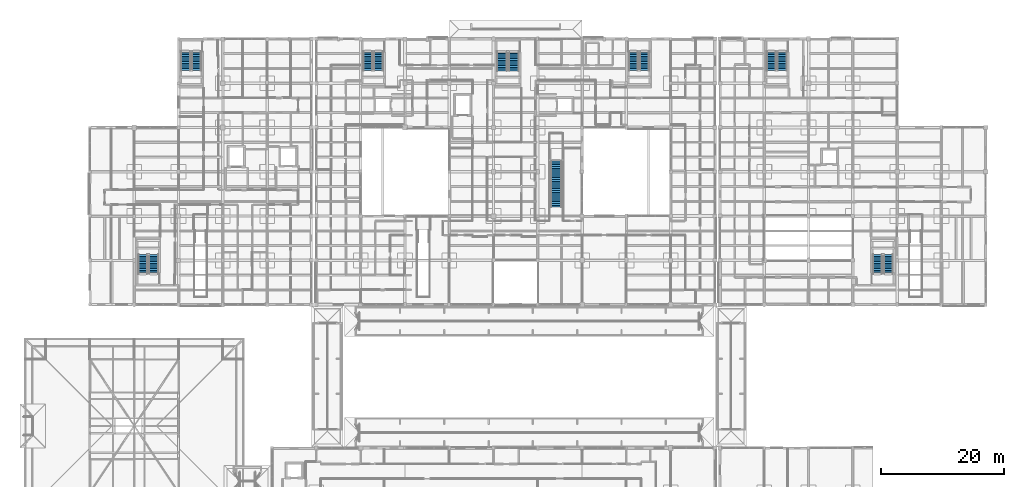
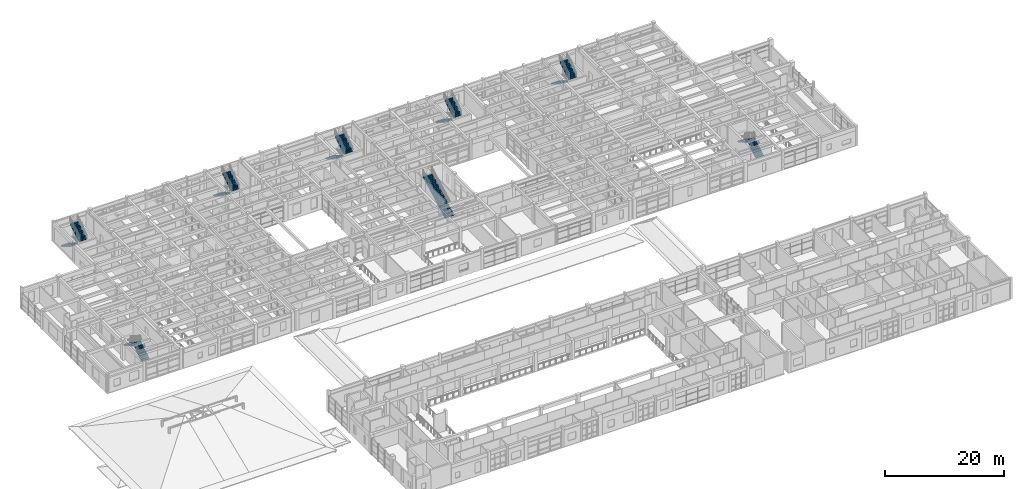
# One storey, part 97 of 110: 15 stair flights, 8 elements without a shape of their own.
"""IFC4 building model written with IfcOpenShell, lengths in metres."""

from ifc_helpers import new_model, si_unit, direction, frame, origin, place, context, subcontext, project, spatial, polyline, outline, extrude, material, type_object, element, aggregate, save


model = new_model("IFC4")

# Units and contexts
model_context = context("Model", 3, precision=1e-05, world=origin(), true_north=direction((0.0, 1.0)))
body_context = subcontext(model_context, "Body", "Model", "MODEL_VIEW")
ifc_project = project(units=[si_unit("LENGTHUNIT", "METRE"), si_unit("AREAUNIT", "SQUARE_METRE"), si_unit("VOLUMEUNIT", "CUBIC_METRE"), si_unit("PLANEANGLEUNIT", "RADIAN"), si_unit("MASSUNIT", "GRAM", prefix="KILO")], contexts=[model_context])

# Site, building, storey
site_placement = place(None, origin())
site = spatial("IfcSite", under=ifc_project, at=site_placement, CompositionType="ELEMENT")
building_placement = place(site_placement, origin())
building = spatial("IfcBuilding", under=site, at=building_placement, Name="Steenspoor Specialist Clinic", CompositionType="ELEMENT")
storey_placement = place(building_placement, frame((0.0, 0.0, 4.800048828125)))
storey = spatial("IfcBuildingStorey", under=building, at=storey_placement, Name="L01", CompositionType="ELEMENT", Elevation=4.800048828125)

# Stair, stair flights
ifc_material = material(Name="Concrete C35/45", Category="concrete")
stair_type_1 = type_object("IfcStairType", Name="ST-CORE-TYP", PredefinedType="HALF_TURN_STAIR", material=ifc_material)
stair_1_placement = place(storey_placement, origin())
stair_1 = element("IfcStair", 1, at=stair_1_placement, inside=storey, type_object=stair_type_1, Name="L01 Enclosed Exit Stair ST-V4A", PredefinedType="HALF_TURN_STAIR")
stair_flight_type_1 = type_object("IfcStairFlightType", Name="FL-CORE-TYP", PredefinedType="STRAIGHT", material=ifc_material)
stair_flight_1_placement = place(storey_placement, frame((60.77490234375, 106.35009765625, 0.0), z_axis=(0.0, 0.0, 1.0), x_axis=(0.0, -1.0, 0.0)))
stair_flight_1 = element("IfcStairFlight", 2, at=stair_flight_1_placement, type_object=stair_flight_type_1, Name="ST-V4A flight 1", NumberOfRisers=12, NumberOfTreads=11, PredefinedType="STRAIGHT", RiserHeight=0.175, TreadLength=0.285, context=body_context, shape_type="SweptSolid", body=[
    extrude(outline(polyline([(0.0, 0.0), (0.0, 0.175048828125), (0.284912109375, 0.175048828125), (0.284912109375, 0.35009765625), (0.570068359375, 0.35009765625), (0.570068359375, 0.52490234375), (0.85498046875, 0.52490234375), (0.85498046875, 0.699951171875), (1.139892578125, 0.699951171875), (1.139892578125, 0.875), (1.425048828125, 0.875), (1.425048828125, 1.050048828125), (1.7099609375, 1.050048828125), (1.7099609375, 1.22509765625), (1.9951171875, 1.22509765625), (1.9951171875, 1.39990234375), (2.280029296875, 1.39990234375), (2.280029296875, 1.574951171875), (2.56494140625, 1.574951171875), (2.56494140625, 1.75), (2.85009765625, 1.75), (2.85009765625, 1.925048828125), (3.135009765625, 1.925048828125), (3.135009765625, 2.10009765625), (3.135009765625, 1.7373046875), (0.3056640625, 0.0), (0.0, 0.0)])), frame((0.0, 0.77490234375, 0.0), z_axis=(0.0, -1.0, 0.0), x_axis=(1.0, 0.0, 0.0)), (0.0, 0.0, 1.0), 1.550048828125),
])
stair_flight_2_placement = place(storey_placement, frame((62.52490234375, 103.215087890625, 2.099853515625), z_axis=(0.0, 0.0, 1.0), x_axis=(0.0, 1.0, 0.0)))
stair_flight_2 = element("IfcStairFlight", 3, at=stair_flight_2_placement, type_object=stair_flight_type_1, Name="ST-V4A flight 2", NumberOfRisers=12, NumberOfTreads=11, PredefinedType="STRAIGHT", RiserHeight=0.175, TreadLength=0.285, context=body_context, shape_type="SweptSolid", body=[
    extrude(outline(polyline([(0.0, 0.0), (0.0, 0.175048828125), (0.284912109375, 0.175048828125), (0.284912109375, 0.35009765625), (0.570068359375, 0.35009765625), (0.570068359375, 0.52490234375), (0.85498046875, 0.52490234375), (0.85498046875, 0.699951171875), (1.139892578125, 0.699951171875), (1.139892578125, 0.875), (1.425048828125, 0.875), (1.425048828125, 1.050048828125), (1.7099609375, 1.050048828125), (1.7099609375, 1.22509765625), (1.9951171875, 1.22509765625), (1.9951171875, 1.39990234375), (2.280029296875, 1.39990234375), (2.280029296875, 1.574951171875), (2.56494140625, 1.574951171875), (2.56494140625, 1.75), (2.85009765625, 1.75), (2.85009765625, 1.925048828125), (3.135009765625, 1.925048828125), (3.135009765625, 2.10009765625), (3.135009765625, 1.7373046875), (0.3056640625, 0.0), (0.0, 0.0)])), frame((0.0, 0.77490234375, 0.0), z_axis=(0.0, -1.0, 0.0), x_axis=(1.0, 0.0, 0.0)), (0.0, 0.0, 1.0), 1.550048828125),
])
aggregate(stair_1, [stair_flight_1, stair_flight_2])

stair_2_placement = place(storey_placement, origin())
stair_2 = element("IfcStair", 4, at=stair_2_placement, inside=storey, type_object=stair_type_1, Name="L01 Enclosed Exit Stair ST-V4B", PredefinedType="HALF_TURN_STAIR")
stair_flight_3_placement = place(storey_placement, frame((103.97509765625, 106.35009765625, 0.0), z_axis=(0.0, 0.0, 1.0), x_axis=(0.0, -1.0, 0.0)))
stair_flight_3 = element("IfcStairFlight", 5, at=stair_flight_3_placement, type_object=stair_flight_type_1, Name="ST-V4B flight 1", NumberOfRisers=12, NumberOfTreads=11, PredefinedType="STRAIGHT", RiserHeight=0.175, TreadLength=0.285, context=body_context, shape_type="SweptSolid", body=[
    extrude(outline(polyline([(0.0, 0.0), (0.0, 0.175048828125), (0.284912109375, 0.175048828125), (0.284912109375, 0.35009765625), (0.570068359375, 0.35009765625), (0.570068359375, 0.52490234375), (0.85498046875, 0.52490234375), (0.85498046875, 0.699951171875), (1.139892578125, 0.699951171875), (1.139892578125, 0.875), (1.425048828125, 0.875), (1.425048828125, 1.050048828125), (1.7099609375, 1.050048828125), (1.7099609375, 1.22509765625), (1.9951171875, 1.22509765625), (1.9951171875, 1.39990234375), (2.280029296875, 1.39990234375), (2.280029296875, 1.574951171875), (2.56494140625, 1.574951171875), (2.56494140625, 1.75), (2.85009765625, 1.75), (2.85009765625, 1.925048828125), (3.135009765625, 1.925048828125), (3.135009765625, 2.10009765625), (3.135009765625, 1.7373046875), (0.3056640625, 0.0), (0.0, 0.0)])), frame((0.0, 0.77490234375, 0.0), z_axis=(0.0, -1.0, 0.0), x_axis=(1.0, 0.0, 0.0)), (0.0, 0.0, 1.0), 1.550048828125),
])
stair_flight_4_placement = place(storey_placement, frame((105.72509765625, 103.215087890625, 2.099853515625), z_axis=(0.0, 0.0, 1.0), x_axis=(0.0, 1.0, 0.0)))
stair_flight_4 = element("IfcStairFlight", 6, at=stair_flight_4_placement, type_object=stair_flight_type_1, Name="ST-V4B flight 2", NumberOfRisers=12, NumberOfTreads=11, PredefinedType="STRAIGHT", RiserHeight=0.175, TreadLength=0.285, context=body_context, shape_type="SweptSolid", body=[
    extrude(outline(polyline([(0.0, 0.0), (0.0, 0.175048828125), (0.284912109375, 0.175048828125), (0.284912109375, 0.35009765625), (0.570068359375, 0.35009765625), (0.570068359375, 0.52490234375), (0.85498046875, 0.52490234375), (0.85498046875, 0.699951171875), (1.139892578125, 0.699951171875), (1.139892578125, 0.875), (1.425048828125, 0.875), (1.425048828125, 1.050048828125), (1.7099609375, 1.050048828125), (1.7099609375, 1.22509765625), (1.9951171875, 1.22509765625), (1.9951171875, 1.39990234375), (2.280029296875, 1.39990234375), (2.280029296875, 1.574951171875), (2.56494140625, 1.574951171875), (2.56494140625, 1.75), (2.85009765625, 1.75), (2.85009765625, 1.925048828125), (3.135009765625, 1.925048828125), (3.135009765625, 2.10009765625), (3.135009765625, 1.7373046875), (0.3056640625, 0.0), (0.0, 0.0)])), frame((0.0, 0.77490234375, 0.0), z_axis=(0.0, -1.0, 0.0), x_axis=(1.0, 0.0, 0.0)), (0.0, 0.0, 1.0), 1.550048828125),
])
aggregate(stair_2, [stair_flight_3, stair_flight_4])

stair_3_placement = place(storey_placement, origin())
stair_3 = element("IfcStair", 7, at=stair_3_placement, inside=storey, type_object=stair_type_1, Name="L01 Enclosed Exit Stair ST-V5A", PredefinedType="HALF_TURN_STAIR")
stair_flight_5_placement = place(storey_placement, frame((31.175048828125, 106.35009765625, 0.0), z_axis=(0.0, 0.0, 1.0), x_axis=(0.0, -1.0, 0.0)))
stair_flight_5 = element("IfcStairFlight", 8, at=stair_flight_5_placement, type_object=stair_flight_type_1, Name="ST-V5A flight 1", NumberOfRisers=12, NumberOfTreads=11, PredefinedType="STRAIGHT", RiserHeight=0.175, TreadLength=0.285, context=body_context, shape_type="SweptSolid", body=[
    extrude(outline(polyline([(0.0, 0.0), (0.0, 0.175048828125), (0.284912109375, 0.175048828125), (0.284912109375, 0.35009765625), (0.570068359375, 0.35009765625), (0.570068359375, 0.52490234375), (0.85498046875, 0.52490234375), (0.85498046875, 0.699951171875), (1.139892578125, 0.699951171875), (1.139892578125, 0.875), (1.425048828125, 0.875), (1.425048828125, 1.050048828125), (1.7099609375, 1.050048828125), (1.7099609375, 1.22509765625), (1.9951171875, 1.22509765625), (1.9951171875, 1.39990234375), (2.280029296875, 1.39990234375), (2.280029296875, 1.574951171875), (2.56494140625, 1.574951171875), (2.56494140625, 1.75), (2.85009765625, 1.75), (2.85009765625, 1.925048828125), (3.135009765625, 1.925048828125), (3.135009765625, 2.10009765625), (3.135009765625, 1.7373046875), (0.3056640625, 0.0), (0.0, 0.0)])), frame((0.0, 0.77490234375, 0.0), z_axis=(0.0, -1.0, 0.0), x_axis=(1.0, 0.0, 0.0)), (0.0, 0.0, 1.0), 1.550048828125),
])
stair_flight_6_placement = place(storey_placement, frame((32.925048828125, 103.215087890625, 2.099853515625), z_axis=(0.0, 0.0, 1.0), x_axis=(0.0, 1.0, 0.0)))
stair_flight_6 = element("IfcStairFlight", 9, at=stair_flight_6_placement, type_object=stair_flight_type_1, Name="ST-V5A flight 2", NumberOfRisers=12, NumberOfTreads=11, PredefinedType="STRAIGHT", RiserHeight=0.175, TreadLength=0.285, context=body_context, shape_type="SweptSolid", body=[
    extrude(outline(polyline([(0.0, 0.0), (0.0, 0.175048828125), (0.284912109375, 0.175048828125), (0.284912109375, 0.35009765625), (0.570068359375, 0.35009765625), (0.570068359375, 0.52490234375), (0.85498046875, 0.52490234375), (0.85498046875, 0.699951171875), (1.139892578125, 0.699951171875), (1.139892578125, 0.875), (1.425048828125, 0.875), (1.425048828125, 1.050048828125), (1.7099609375, 1.050048828125), (1.7099609375, 1.22509765625), (1.9951171875, 1.22509765625), (1.9951171875, 1.39990234375), (2.280029296875, 1.39990234375), (2.280029296875, 1.574951171875), (2.56494140625, 1.574951171875), (2.56494140625, 1.75), (2.85009765625, 1.75), (2.85009765625, 1.925048828125), (3.135009765625, 1.925048828125), (3.135009765625, 2.10009765625), (3.135009765625, 1.7373046875), (0.3056640625, 0.0), (0.0, 0.0)])), frame((0.0, 0.77490234375, 0.0), z_axis=(0.0, -1.0, 0.0), x_axis=(1.0, 0.0, 0.0)), (0.0, 0.0, 1.0), 1.550048828125),
])
aggregate(stair_3, [stair_flight_5, stair_flight_6])

stair_4_placement = place(storey_placement, origin())
stair_4 = element("IfcStair", 10, at=stair_4_placement, inside=storey, type_object=stair_type_1, Name="L01 Enclosed Exit Stair ST-V5B", PredefinedType="HALF_TURN_STAIR")
stair_flight_7_placement = place(storey_placement, frame((25.97509765625, 70.14990234375, 0.0), z_axis=(0.0, 0.0, 1.0), x_axis=(0.0, 1.0, 0.0)))
stair_flight_7 = element("IfcStairFlight", 11, at=stair_flight_7_placement, type_object=stair_flight_type_1, Name="ST-V5B flight 1", NumberOfRisers=12, NumberOfTreads=11, PredefinedType="STRAIGHT", RiserHeight=0.175, TreadLength=0.285, context=body_context, shape_type="SweptSolid", body=[
    extrude(outline(polyline([(0.0, 0.0), (0.0, 0.175048828125), (0.284912109375, 0.175048828125), (0.284912109375, 0.35009765625), (0.570068359375, 0.35009765625), (0.570068359375, 0.52490234375), (0.85498046875, 0.52490234375), (0.85498046875, 0.699951171875), (1.139892578125, 0.699951171875), (1.139892578125, 0.875), (1.425048828125, 0.875), (1.425048828125, 1.050048828125), (1.7099609375, 1.050048828125), (1.7099609375, 1.22509765625), (1.9951171875, 1.22509765625), (1.9951171875, 1.39990234375), (2.280029296875, 1.39990234375), (2.280029296875, 1.574951171875), (2.56494140625, 1.574951171875), (2.56494140625, 1.75), (2.85009765625, 1.75), (2.85009765625, 1.925048828125), (3.135009765625, 1.925048828125), (3.135009765625, 2.10009765625), (3.135009765625, 1.7373046875), (0.3056640625, 0.0), (0.0, 0.0)])), frame((0.0, 0.77490234375, 0.0), z_axis=(0.0, -1.0, 0.0), x_axis=(1.0, 0.0, 0.0)), (0.0, 0.0, 1.0), 1.550048828125),
])
stair_flight_8_placement = place(storey_placement, frame((24.22509765625, 73.284912109375, 2.099853515625), z_axis=(0.0, 0.0, 1.0), x_axis=(0.0, -1.0, 0.0)))
stair_flight_8 = element("IfcStairFlight", 12, at=stair_flight_8_placement, type_object=stair_flight_type_1, Name="ST-V5B flight 2", NumberOfRisers=12, NumberOfTreads=11, PredefinedType="STRAIGHT", RiserHeight=0.175, TreadLength=0.285, context=body_context, shape_type="SweptSolid", body=[
    extrude(outline(polyline([(0.0, 0.0), (0.0, 0.175048828125), (0.284912109375, 0.175048828125), (0.284912109375, 0.35009765625), (0.570068359375, 0.35009765625), (0.570068359375, 0.52490234375), (0.85498046875, 0.52490234375), (0.85498046875, 0.699951171875), (1.139892578125, 0.699951171875), (1.139892578125, 0.875), (1.425048828125, 0.875), (1.425048828125, 1.050048828125), (1.7099609375, 1.050048828125), (1.7099609375, 1.22509765625), (1.9951171875, 1.22509765625), (1.9951171875, 1.39990234375), (2.280029296875, 1.39990234375), (2.280029296875, 1.574951171875), (2.56494140625, 1.574951171875), (2.56494140625, 1.75), (2.85009765625, 1.75), (2.85009765625, 1.925048828125), (3.135009765625, 1.925048828125), (3.135009765625, 2.10009765625), (3.135009765625, 1.7373046875), (0.3056640625, 0.0), (0.0, 0.0)])), frame((0.0, 0.77490234375, 0.0), z_axis=(0.0, -1.0, 0.0), x_axis=(1.0, 0.0, 0.0)), (0.0, 0.0, 1.0), 1.550048828125),
])
aggregate(stair_4, [stair_flight_7, stair_flight_8])

stair_5_placement = place(storey_placement, origin())
stair_5 = element("IfcStair", 13, at=stair_5_placement, inside=storey, type_object=stair_type_1, Name="L01 Enclosed Exit Stair ST-V6A", PredefinedType="HALF_TURN_STAIR")
stair_flight_9_placement = place(storey_placement, frame((126.375, 106.35009765625, 0.0), z_axis=(0.0, 0.0, 1.0), x_axis=(0.0, -1.0, 0.0)))
stair_flight_9 = element("IfcStairFlight", 14, at=stair_flight_9_placement, type_object=stair_flight_type_1, Name="ST-V6A flight 1", NumberOfRisers=12, NumberOfTreads=11, PredefinedType="STRAIGHT", RiserHeight=0.175, TreadLength=0.285, context=body_context, shape_type="SweptSolid", body=[
    extrude(outline(polyline([(0.0, 0.0), (0.0, 0.175048828125), (0.284912109375, 0.175048828125), (0.284912109375, 0.35009765625), (0.570068359375, 0.35009765625), (0.570068359375, 0.52490234375), (0.85498046875, 0.52490234375), (0.85498046875, 0.699951171875), (1.139892578125, 0.699951171875), (1.139892578125, 0.875), (1.425048828125, 0.875), (1.425048828125, 1.050048828125), (1.7099609375, 1.050048828125), (1.7099609375, 1.22509765625), (1.9951171875, 1.22509765625), (1.9951171875, 1.39990234375), (2.280029296875, 1.39990234375), (2.280029296875, 1.574951171875), (2.56494140625, 1.574951171875), (2.56494140625, 1.75), (2.85009765625, 1.75), (2.85009765625, 1.925048828125), (3.135009765625, 1.925048828125), (3.135009765625, 2.10009765625), (3.135009765625, 1.7373046875), (0.3056640625, 0.0), (0.0, 0.0)])), frame((0.0, 0.77490234375, 0.0), z_axis=(0.0, -1.0, 0.0), x_axis=(1.0, 0.0, 0.0)), (0.0, 0.0, 1.0), 1.550048828125),
])
stair_flight_10_placement = place(storey_placement, frame((128.125, 103.215087890625, 2.099853515625), z_axis=(0.0, 0.0, 1.0), x_axis=(0.0, 1.0, 0.0)))
stair_flight_10 = element("IfcStairFlight", 15, at=stair_flight_10_placement, type_object=stair_flight_type_1, Name="ST-V6A flight 2", NumberOfRisers=12, NumberOfTreads=11, PredefinedType="STRAIGHT", RiserHeight=0.175, TreadLength=0.285, context=body_context, shape_type="SweptSolid", body=[
    extrude(outline(polyline([(0.0, 0.0), (0.0, 0.175048828125), (0.284912109375, 0.175048828125), (0.284912109375, 0.35009765625), (0.570068359375, 0.35009765625), (0.570068359375, 0.52490234375), (0.85498046875, 0.52490234375), (0.85498046875, 0.699951171875), (1.139892578125, 0.699951171875), (1.139892578125, 0.875), (1.425048828125, 0.875), (1.425048828125, 1.050048828125), (1.7099609375, 1.050048828125), (1.7099609375, 1.22509765625), (1.9951171875, 1.22509765625), (1.9951171875, 1.39990234375), (2.280029296875, 1.39990234375), (2.280029296875, 1.574951171875), (2.56494140625, 1.574951171875), (2.56494140625, 1.75), (2.85009765625, 1.75), (2.85009765625, 1.925048828125), (3.135009765625, 1.925048828125), (3.135009765625, 2.10009765625), (3.135009765625, 1.7373046875), (0.3056640625, 0.0), (0.0, 0.0)])), frame((0.0, 0.77490234375, 0.0), z_axis=(0.0, -1.0, 0.0), x_axis=(1.0, 0.0, 0.0)), (0.0, 0.0, 1.0), 1.550048828125),
])
aggregate(stair_5, [stair_flight_9, stair_flight_10])

stair_6_placement = place(storey_placement, origin())
stair_6 = element("IfcStair", 16, at=stair_6_placement, inside=storey, type_object=stair_type_1, Name="L01 Enclosed Exit Stair ST-V6B", PredefinedType="HALF_TURN_STAIR")
stair_flight_11_placement = place(storey_placement, frame((145.375, 70.14990234375, 0.0), z_axis=(0.0, 0.0, 1.0), x_axis=(0.0, 1.0, 0.0)))
stair_flight_11 = element("IfcStairFlight", 17, at=stair_flight_11_placement, type_object=stair_flight_type_1, Name="ST-V6B flight 1", NumberOfRisers=12, NumberOfTreads=11, PredefinedType="STRAIGHT", RiserHeight=0.175, TreadLength=0.285, context=body_context, shape_type="SweptSolid", body=[
    extrude(outline(polyline([(0.0, 0.0), (0.0, 0.175048828125), (0.284912109375, 0.175048828125), (0.284912109375, 0.35009765625), (0.570068359375, 0.35009765625), (0.570068359375, 0.52490234375), (0.85498046875, 0.52490234375), (0.85498046875, 0.699951171875), (1.139892578125, 0.699951171875), (1.139892578125, 0.875), (1.425048828125, 0.875), (1.425048828125, 1.050048828125), (1.7099609375, 1.050048828125), (1.7099609375, 1.22509765625), (1.9951171875, 1.22509765625), (1.9951171875, 1.39990234375), (2.280029296875, 1.39990234375), (2.280029296875, 1.574951171875), (2.56494140625, 1.574951171875), (2.56494140625, 1.75), (2.85009765625, 1.75), (2.85009765625, 1.925048828125), (3.135009765625, 1.925048828125), (3.135009765625, 2.10009765625), (3.135009765625, 1.7373046875), (0.3056640625, 0.0), (0.0, 0.0)])), frame((0.0, 0.77490234375, 0.0), z_axis=(0.0, -1.0, 0.0), x_axis=(1.0, 0.0, 0.0)), (0.0, 0.0, 1.0), 1.550048828125),
])
stair_flight_12_placement = place(storey_placement, frame((143.625, 73.284912109375, 2.099853515625), z_axis=(0.0, 0.0, 1.0), x_axis=(0.0, -1.0, 0.0)))
stair_flight_12 = element("IfcStairFlight", 18, at=stair_flight_12_placement, type_object=stair_flight_type_1, Name="ST-V6B flight 2", NumberOfRisers=12, NumberOfTreads=11, PredefinedType="STRAIGHT", RiserHeight=0.175, TreadLength=0.285, context=body_context, shape_type="SweptSolid", body=[
    extrude(outline(polyline([(0.0, 0.0), (0.0, 0.175048828125), (0.284912109375, 0.175048828125), (0.284912109375, 0.35009765625), (0.570068359375, 0.35009765625), (0.570068359375, 0.52490234375), (0.85498046875, 0.52490234375), (0.85498046875, 0.699951171875), (1.139892578125, 0.699951171875), (1.139892578125, 0.875), (1.425048828125, 0.875), (1.425048828125, 1.050048828125), (1.7099609375, 1.050048828125), (1.7099609375, 1.22509765625), (1.9951171875, 1.22509765625), (1.9951171875, 1.39990234375), (2.280029296875, 1.39990234375), (2.280029296875, 1.574951171875), (2.56494140625, 1.574951171875), (2.56494140625, 1.75), (2.85009765625, 1.75), (2.85009765625, 1.925048828125), (3.135009765625, 1.925048828125), (3.135009765625, 2.10009765625), (3.135009765625, 1.7373046875), (0.3056640625, 0.0), (0.0, 0.0)])), frame((0.0, 0.77490234375, 0.0), z_axis=(0.0, -1.0, 0.0), x_axis=(1.0, 0.0, 0.0)), (0.0, 0.0, 1.0), 1.550048828125),
])
aggregate(stair_6, [stair_flight_11, stair_flight_12])

stair_type_2 = type_object("IfcStairType", Name="ST-CORE-WD", PredefinedType="HALF_TURN_STAIR", material=ifc_material)
stair_7_placement = place(storey_placement, origin())
stair_7 = element("IfcStair", 19, at=stair_7_placement, inside=storey, type_object=stair_type_2, Name="L01 Enclosed Exit Stair ST-V4C", PredefinedType="HALF_TURN_STAIR")
stair_flight_type_2 = type_object("IfcStairFlightType", Name="FL-CORE-WD", PredefinedType="STRAIGHT", material=ifc_material)
stair_flight_13_placement = place(storey_placement, frame((82.60009765625, 106.280029296875, 0.0), z_axis=(0.0, 0.0, 1.0), x_axis=(0.0, -1.0, 0.0)))
stair_flight_13 = element("IfcStairFlight", 20, at=stair_flight_13_placement, type_object=stair_flight_type_2, Name="ST-V4C flight 1", NumberOfRisers=12, NumberOfTreads=11, PredefinedType="STRAIGHT", RiserHeight=0.175, TreadLength=0.285, context=body_context, shape_type="SweptSolid", body=[
    extrude(outline(polyline([(0.0, 0.0), (0.0, 0.175048828125), (0.284912109375, 0.175048828125), (0.284912109375, 0.35009765625), (0.570068359375, 0.35009765625), (0.570068359375, 0.52490234375), (0.85498046875, 0.52490234375), (0.85498046875, 0.699951171875), (1.139892578125, 0.699951171875), (1.139892578125, 0.875), (1.425048828125, 0.875), (1.425048828125, 1.050048828125), (1.7099609375, 1.050048828125), (1.7099609375, 1.22509765625), (1.9951171875, 1.22509765625), (1.9951171875, 1.39990234375), (2.280029296875, 1.39990234375), (2.280029296875, 1.574951171875), (2.56494140625, 1.574951171875), (2.56494140625, 1.75), (2.85009765625, 1.75), (2.85009765625, 1.925048828125), (3.135009765625, 1.925048828125), (3.135009765625, 2.10009765625), (3.135009765625, 1.7373046875), (0.3056640625, 0.0), (0.0, 0.0)])), frame((0.0, 0.85009765625, 0.0), z_axis=(0.0, -1.0, 0.0), x_axis=(1.0, 0.0, 0.0)), (0.0, 0.0, 1.0), 1.699951171875),
])
stair_flight_14_placement = place(storey_placement, frame((84.5, 103.14501953125, 2.099853515625), z_axis=(0.0, 0.0, 1.0), x_axis=(0.0, 1.0, 0.0)))
stair_flight_14 = element("IfcStairFlight", 21, at=stair_flight_14_placement, type_object=stair_flight_type_2, Name="ST-V4C flight 2", NumberOfRisers=12, NumberOfTreads=11, PredefinedType="STRAIGHT", RiserHeight=0.175, TreadLength=0.285, context=body_context, shape_type="SweptSolid", body=[
    extrude(outline(polyline([(0.0, 0.0), (0.0, 0.175048828125), (0.284912109375, 0.175048828125), (0.284912109375, 0.35009765625), (0.570068359375, 0.35009765625), (0.570068359375, 0.52490234375), (0.85498046875, 0.52490234375), (0.85498046875, 0.699951171875), (1.139892578125, 0.699951171875), (1.139892578125, 0.875), (1.425048828125, 0.875), (1.425048828125, 1.050048828125), (1.7099609375, 1.050048828125), (1.7099609375, 1.22509765625), (1.9951171875, 1.22509765625), (1.9951171875, 1.39990234375), (2.280029296875, 1.39990234375), (2.280029296875, 1.574951171875), (2.56494140625, 1.574951171875), (2.56494140625, 1.75), (2.85009765625, 1.75), (2.85009765625, 1.925048828125), (3.135009765625, 1.925048828125), (3.135009765625, 2.10009765625), (3.135009765625, 1.7373046875), (0.3056640625, 0.0), (0.0, 0.0)])), frame((0.0, 0.85009765625, 0.0), z_axis=(0.0, -1.0, 0.0), x_axis=(1.0, 0.0, 0.0)), (0.0, 0.0, 1.0), 1.699951171875),
])
aggregate(stair_7, [stair_flight_13, stair_flight_14])

# Stair, stair flight
stair_type_3 = type_object("IfcStairType", Name="ST-FEAT-TYP", PredefinedType="STRAIGHT_RUN_STAIR", material=ifc_material)
stair_8_placement = place(storey_placement, origin())
stair_8 = element("IfcStair", 22, at=stair_8_placement, inside=storey, type_object=stair_type_3, Name="Feature Atrium Stair ST-F03", PredefinedType="STRAIGHT_RUN_STAIR")
stair_flight_type_3 = type_object("IfcStairFlightType", Name="FL-FEAT-TYP", PredefinedType="STRAIGHT", material=ifc_material)
stair_flight_15_placement = place(storey_placement, frame((91.39990234375, 81.0, 0.0), z_axis=(0.0, 0.0, 1.0), x_axis=(0.0, 1.0, 0.0)))
stair_flight_15 = element("IfcStairFlight", 23, at=stair_flight_15_placement, type_object=stair_flight_type_3, Name="ST-F03 flight 1", NumberOfRisers=26, NumberOfTreads=25, PredefinedType="STRAIGHT", RiserHeight=0.161538, TreadLength=0.3, context=body_context, shape_type="SweptSolid", body=[
    extrude(outline(polyline([(0.0, 0.0), (0.0, 0.16162109375), (0.300048828125, 0.16162109375), (0.300048828125, 0.322998046875), (0.60009765625, 0.322998046875), (0.60009765625, 0.484619140625), (0.89990234375, 0.484619140625), (0.89990234375, 0.646240234375), (1.199951171875, 0.646240234375), (1.199951171875, 0.8076171875), (1.5, 0.8076171875), (1.5, 0.96923828125), (1.800048828125, 0.96923828125), (1.800048828125, 1.130859375), (2.10009765625, 1.130859375), (2.10009765625, 1.292236328125), (2.39990234375, 1.292236328125), (2.39990234375, 1.453857421875), (2.699951171875, 1.453857421875), (2.699951171875, 1.615478515625), (3.0, 1.615478515625), (3.0, 1.77685546875), (3.300048828125, 1.77685546875), (3.300048828125, 1.9384765625), (3.60009765625, 1.9384765625), (3.60009765625, 2.10009765625), (3.89990234375, 2.10009765625), (3.89990234375, 2.261474609375), (4.199951171875, 2.261474609375), (4.199951171875, 2.423095703125), (4.5, 2.423095703125), (4.5, 2.584716796875), (4.800048828125, 2.584716796875), (4.800048828125, 2.74609375), (5.10009765625, 2.74609375), (5.10009765625, 2.90771484375), (5.39990234375, 2.90771484375), (5.39990234375, 3.0693359375), (5.699951171875, 3.0693359375), (5.699951171875, 3.230712890625), (6.0, 3.230712890625), (6.0, 3.392333984375), (6.300048828125, 3.392333984375), (6.300048828125, 3.553955078125), (6.60009765625, 3.553955078125), (6.60009765625, 3.71533203125), (6.89990234375, 3.71533203125), (6.89990234375, 3.876953125), (7.199951171875, 3.876953125), (7.199951171875, 4.038330078125), (7.5, 4.038330078125), (7.5, 4.199951171875), (7.5, 3.85693359375), (0.33740234375, 0.0), (0.0, 0.0)])), frame((0.0, 0.89990234375, 0.0), z_axis=(0.0, -1.0, 0.0), x_axis=(1.0, 0.0, 0.0)), (0.0, 0.0, 1.0), 1.800048828125),
])
aggregate(stair_8, [stair_flight_15])

save(model, "model.ifc")
